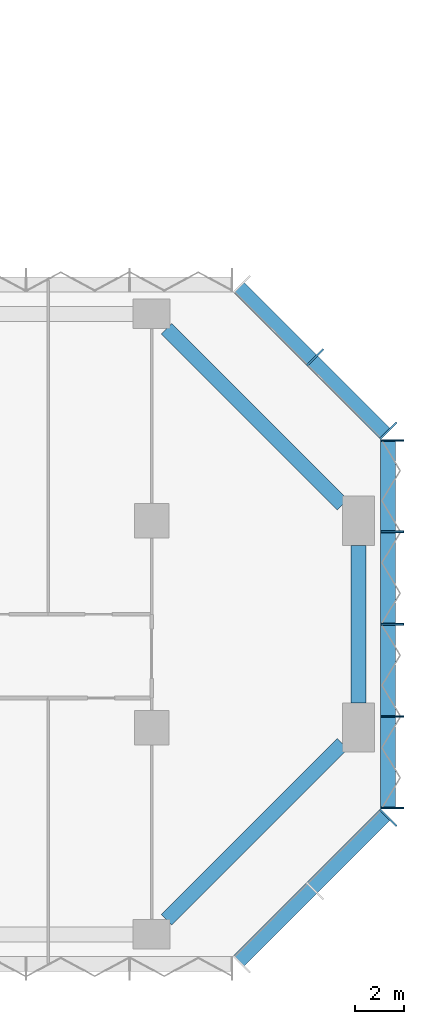
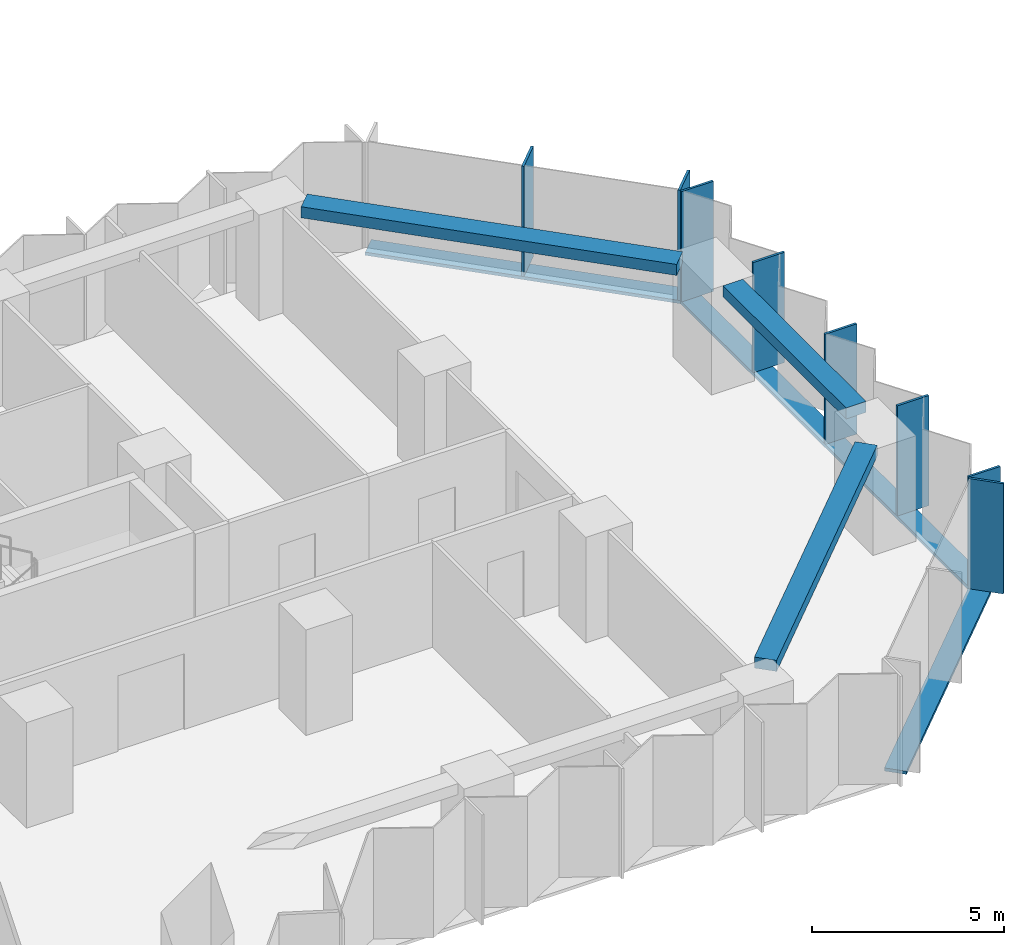
# One storey, part 4 of 15: 11 members, 3 beams, 3 elements without a shape of their own.
"""IFC4 building model written with IfcOpenShell, lengths in metres."""

from ifc_helpers import new_model, si_unit, direction, frame, origin, origin_2d, place, context, subcontext, project, spatial, rectangle, extrude, material, material_profile, profile_set, type_object, element, aggregate, save


model = new_model("IFC4")

# Units and contexts
model_context = context("Model", 3, precision=1e-05, world=origin(), true_north=direction((0.0, 1.0)))
body_context = subcontext(model_context, "Body", "Model", "MODEL_VIEW")
ifc_project = project(units=[si_unit("LENGTHUNIT", "METRE"), si_unit("AREAUNIT", "SQUARE_METRE"), si_unit("VOLUMEUNIT", "CUBIC_METRE"), si_unit("PLANEANGLEUNIT", "RADIAN"), si_unit("MASSUNIT", "GRAM", prefix="KILO")], contexts=[model_context])

# Site, building, storey
site_placement = place(None, origin())
site = spatial("IfcSite", under=ifc_project, at=site_placement, CompositionType="ELEMENT")
building_placement = place(site_placement, origin())
building = spatial("IfcBuilding", under=site, at=building_placement, Name="Brevane Broadcast Tower", CompositionType="ELEMENT")
storey_placement = place(building_placement, frame((0.0, 0.0, 76.10009765625)))
storey = spatial("IfcBuildingStorey", under=building, at=storey_placement, Name="L17", CompositionType="ELEMENT", Elevation=76.10009765625)

# Curtain wall, member
ifc_material_1 = material(Name="Aluminium 6063-T6 bronze anodised", Category="aluminium")
curtain_wall_type = type_object("IfcCurtainWallType", Name="CW-1 curtain wall", PredefinedType="NOTDEFINED", material=ifc_material_1)
curtain_wall_1_placement = place(storey_placement, origin())
curtain_wall_1 = element("IfcCurtainWall", 1, at=curtain_wall_1_placement, inside=storey, type_object=curtain_wall_type, Name="CW-1 typical tilted unit L17 south-east chamfer", PredefinedType="NOTDEFINED")
ifc_material_profile_1 = material_profile(ifc_material_1, rectangle(XDim=0.949951171875, YDim=0.070068359375, at=origin_2d()), Name="RECT 70x950")
ifc_profile_set_1 = profile_set([ifc_material_profile_1], Name="Aluminium 6063-T6 bronze anodised")
member_type_1 = type_object("IfcMemberType", Name="CW-1 mullion 70x950", PredefinedType="MULLION", material=ifc_profile_set_1)
member_1_placement = place(storey_placement, frame((68.4111328125, 4.7392578125, -0.150146484375), z_axis=(0.0, 0.0, 1.0), x_axis=(-0.707106781187, 0.707106781187, 0.0)))
member_1 = element("IfcMember", 2, at=member_1_placement, type_object=member_type_1, Name="CW-1 mullion", PredefinedType="MULLION", context=body_context, shape_type="SweptSolid", body=[
    extrude(rectangle(XDim=0.949951171875, YDim=0.070068359375, at=origin_2d()), origin(), (0.0, 0.0, 1.0), 3.5),
])

# Curtain wall, members
curtain_wall_2_placement = place(storey_placement, origin())
curtain_wall_2 = element("IfcCurtainWall", 3, at=curtain_wall_2_placement, inside=storey, type_object=curtain_wall_type, Name="CW-1 typical tilted unit L17 east end", PredefinedType="NOTDEFINED")
member_2_placement = place(storey_placement, frame((68.574951171875, 5.135009765625, -0.150146484375), z_axis=(0.0, 0.0, 1.0), x_axis=(-1.0, 0.0, 0.0)))
member_2 = element("IfcMember", 4, at=member_2_placement, type_object=member_type_1, Name="CW-1 mullion", PredefinedType="MULLION", context=body_context, shape_type="SweptSolid", body=[
    extrude(rectangle(XDim=0.949951171875, YDim=0.070068359375, at=origin_2d()), origin(), (0.0, 0.0, 1.0), 3.5),
])
member_3_placement = place(storey_placement, frame((68.574951171875, 8.85009765625, -0.150146484375), z_axis=(0.0, 0.0, 1.0), x_axis=(-1.0, 0.0, 0.0)))
member_3 = element("IfcMember", 5, at=member_3_placement, type_object=member_type_1, Name="CW-1 mullion", PredefinedType="MULLION", context=body_context, shape_type="SweptSolid", body=[
    extrude(rectangle(XDim=0.949951171875, YDim=0.070068359375, at=origin_2d()), origin(), (0.0, 0.0, 1.0), 3.5),
])
member_4_placement = place(storey_placement, frame((68.574951171875, 12.60009765625, -0.150146484375), z_axis=(0.0, 0.0, 1.0), x_axis=(-1.0, 0.0, 0.0)))
member_4 = element("IfcMember", 6, at=member_4_placement, type_object=member_type_1, Name="CW-1 mullion", PredefinedType="MULLION", context=body_context, shape_type="SweptSolid", body=[
    extrude(rectangle(XDim=0.949951171875, YDim=0.070068359375, at=origin_2d()), origin(), (0.0, 0.0, 1.0), 3.5),
])
member_5_placement = place(storey_placement, frame((68.574951171875, 16.35009765625, -0.150146484375), z_axis=(0.0, 0.0, 1.0), x_axis=(-1.0, 0.0, 0.0)))
member_5 = element("IfcMember", 7, at=member_5_placement, type_object=member_type_1, Name="CW-1 mullion", PredefinedType="MULLION", context=body_context, shape_type="SweptSolid", body=[
    extrude(rectangle(XDim=0.949951171875, YDim=0.070068359375, at=origin_2d()), origin(), (0.0, 0.0, 1.0), 3.5),
])
member_6_placement = place(storey_placement, frame((68.574951171875, 20.06494140625, -0.150146484375), z_axis=(0.0, 0.0, 1.0), x_axis=(-1.0, 0.0, 0.0)))
member_6 = element("IfcMember", 8, at=member_6_placement, type_object=member_type_1, Name="CW-1 mullion", PredefinedType="MULLION", context=body_context, shape_type="SweptSolid", body=[
    extrude(rectangle(XDim=0.949951171875, YDim=0.070068359375, at=origin_2d()), origin(), (0.0, 0.0, 1.0), 3.5),
])

curtain_wall_3_placement = place(storey_placement, origin())
curtain_wall_3 = element("IfcCurtainWall", 9, at=curtain_wall_3_placement, inside=storey, type_object=curtain_wall_type, Name="CW-1 typical tilted unit L17 north-east chamfer", PredefinedType="NOTDEFINED")
member_7_placement = place(storey_placement, frame((68.4111328125, 20.460693359375, -0.150146484375), z_axis=(0.0, 0.0, 1.0), x_axis=(-0.707106781187, -0.707106781187, 0.0)))
member_7 = element("IfcMember", 10, at=member_7_placement, type_object=member_type_1, Name="CW-1 mullion", PredefinedType="MULLION", context=body_context, shape_type="SweptSolid", body=[
    extrude(rectangle(XDim=0.949951171875, YDim=0.070068359375, at=origin_2d()), origin(), (0.0, 0.0, 1.0), 3.5),
])
member_8_placement = place(storey_placement, frame((65.435791015625, 23.435791015625, -0.150146484375), z_axis=(0.0, 0.0, 1.0), x_axis=(-0.707106781187, -0.707106781187, 0.0)))
member_8 = element("IfcMember", 11, at=member_8_placement, type_object=member_type_1, Name="CW-1 mullion", PredefinedType="MULLION", context=body_context, shape_type="SweptSolid", body=[
    extrude(rectangle(XDim=0.949951171875, YDim=0.070068359375, at=origin_2d()), origin(), (0.0, 0.0, 1.0), 3.5),
])

# Member
ifc_material_profile_2 = material_profile(ifc_material_1, rectangle(XDim=0.60009765625, YDim=0.10009765625, at=origin_2d()), Name="RECT 100x600")
ifc_profile_set_2 = profile_set([ifc_material_profile_2], Name="Aluminium 6063-T6 bronze anodised")
member_type_2 = type_object("IfcMemberType", Name="CW-1 transom 100x600", PredefinedType="USERDEFINED", material=ifc_profile_set_2)
member_9_placement = place(storey_placement, frame((62.31201171875, -1.112060546875, -0.2001953125), z_axis=(0.707106781187, 0.707106781187, 0.0), x_axis=(-0.707106781187, 0.707106781187, 0.0)))
member_9 = element("IfcMember", 12, at=member_9_placement, type_object=member_type_2, Name="CW-1 transom", ObjectType="TRANSOM", PredefinedType="USERDEFINED", context=body_context, shape_type="SweptSolid", body=[
    extrude(rectangle(XDim=0.60009765625, YDim=0.10009765625, at=origin_2d()), origin(), (0.0, 0.0, 1.0), 8.4853515625),
])

aggregate(curtain_wall_1, [member_1, member_9])

member_10_placement = place(storey_placement, frame((68.39990234375, 5.10009765625, -0.2001953125), z_axis=(0.0, 1.0, 0.0), x_axis=(-1.0, 0.0, 0.0)))
member_10 = element("IfcMember", 13, at=member_10_placement, type_object=member_type_2, Name="CW-1 transom", ObjectType="TRANSOM", PredefinedType="USERDEFINED", context=body_context, shape_type="SweptSolid", body=[
    extrude(rectangle(XDim=0.60009765625, YDim=0.10009765625, at=origin_2d()), origin(), (0.0, 0.0, 1.0), 15.0),
])

aggregate(curtain_wall_2, [member_2, member_3, member_4, member_5, member_6, member_10])

member_11_placement = place(storey_placement, frame((68.31201171875, 20.31201171875, -0.2001953125), z_axis=(-0.707106781187, 0.707106781187, 0.0), x_axis=(-0.707106781187, -0.707106781187, 0.0)))
member_11 = element("IfcMember", 14, at=member_11_placement, type_object=member_type_2, Name="CW-1 transom", ObjectType="TRANSOM", PredefinedType="USERDEFINED", context=body_context, shape_type="SweptSolid", body=[
    extrude(rectangle(XDim=0.60009765625, YDim=0.10009765625, at=origin_2d()), origin(), (0.0, 0.0, 1.0), 8.4853515625),
])

aggregate(curtain_wall_3, [member_7, member_8, member_11])

# Beams
ifc_material_2 = material(Name="Concrete C40/50", Category="concrete")
ifc_material_profile_3 = material_profile(ifc_material_2, rectangle(XDim=0.60009765625, YDim=0.35009765625, at=origin_2d()), Name="RC 600x350")
ifc_profile_set_3 = profile_set([ifc_material_profile_3], Name="Concrete C40/50")
beam_type = type_object("IfcBeamType", Name="RC SPANDREL BEAM 600x350 C40/50", PredefinedType="SPANDREL", material=ifc_profile_set_3)
beam_1_placement = place(storey_placement, frame((59.39990234375, 0.60009765625, 3.1748046875), z_axis=(0.707118853314, 0.707094708853, 0.0), x_axis=(-0.707094708853, 0.707118853314, 0.0)))
element("IfcBeam", 15, at=beam_1_placement, inside=storey, type_object=beam_type, Name="EB1 L17-5", PredefinedType="SPANDREL", context=body_context, shape_type="SweptSolid", body=[
    extrude(rectangle(XDim=0.60009765625, YDim=0.35009765625, at=origin_2d()), origin(), (0.0, 0.0, 1.0), 10.111572265625),
])
beam_2_placement = place(storey_placement, frame((67.199951171875, 9.39990234375, 3.1748046875), z_axis=(0.0, 1.0, 0.0), x_axis=(-1.0, 0.0, 0.0)))
element("IfcBeam", 16, at=beam_2_placement, inside=storey, type_object=beam_type, Name="EB1 L17-6", PredefinedType="SPANDREL", context=body_context, shape_type="SweptSolid", body=[
    extrude(rectangle(XDim=0.60009765625, YDim=0.35009765625, at=origin_2d()), origin(), (0.0, 0.0, 1.0), 6.400146484375),
])
beam_3_placement = place(storey_placement, frame((66.550048828125, 17.449951171875, 3.1748046875), z_axis=(-0.707106781187, 0.707106781187, 0.0), x_axis=(-0.707106781187, -0.707106781187, 0.0)))
element("IfcBeam", 17, at=beam_3_placement, inside=storey, type_object=beam_type, Name="EB1 L17-7", PredefinedType="SPANDREL", context=body_context, shape_type="SweptSolid", body=[
    extrude(rectangle(XDim=0.60009765625, YDim=0.35009765625, at=origin_2d()), origin(), (0.0, 0.0, 1.0), 10.11181640625),
])

save(model, "model.ifc")
